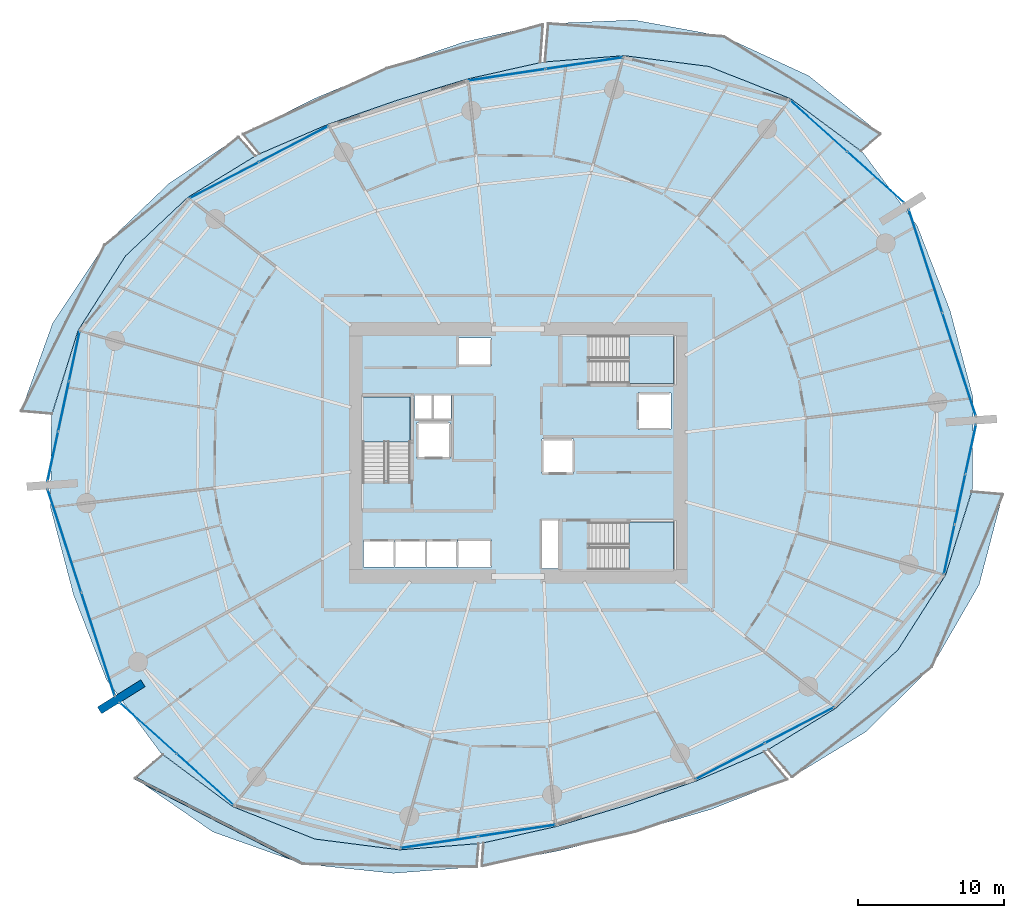
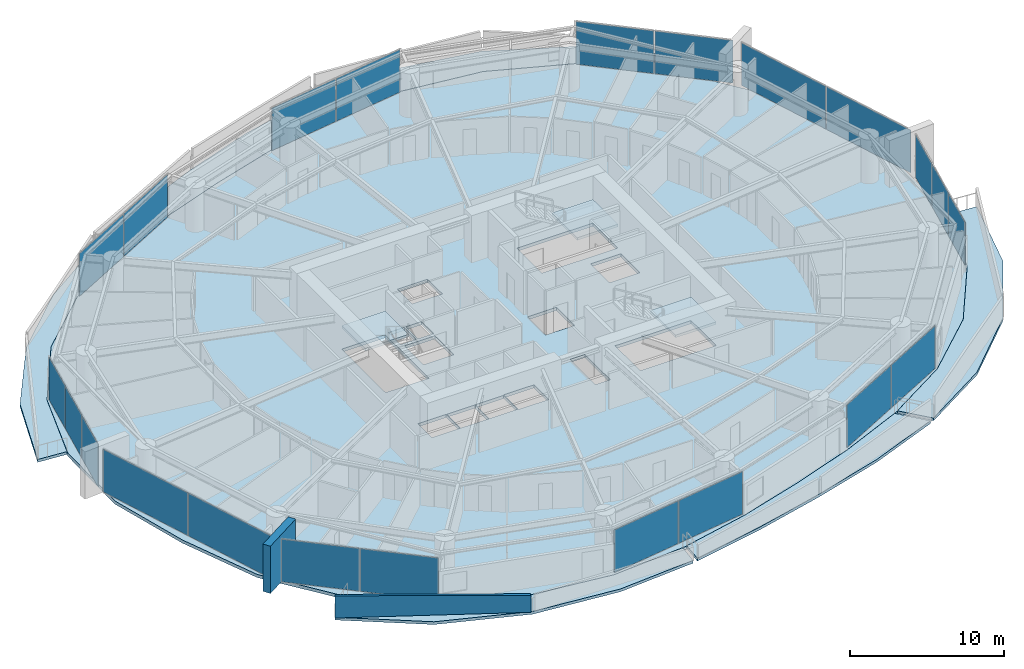
# One storey, part 18 of 31: 22 plates, 10 slabs, 2 walls, 13 elements without a shape of their own.
"""IFC4 building model written with IfcOpenShell, lengths in metres."""

from ifc_helpers import new_model, si_unit, direction, frame, frame_2d, origin, origin_2d, place, context, subcontext, project, spatial, polyline, rectangle, outline, extrude, material, layer, layer_set, type_object, element, aggregate, save


model = new_model("IFC4")

# Units and contexts
model_context = context("Model", 3, precision=1e-05, world=origin(), true_north=direction((0.0, 1.0)))
body_context = subcontext(model_context, "Body", "Model", "MODEL_VIEW")
ifc_project = project(units=[si_unit("LENGTHUNIT", "METRE"), si_unit("AREAUNIT", "SQUARE_METRE"), si_unit("VOLUMEUNIT", "CUBIC_METRE"), si_unit("PLANEANGLEUNIT", "RADIAN"), si_unit("MASSUNIT", "GRAM", prefix="KILO")], contexts=[model_context])

# Site, building, storey
site_placement = place(None, origin())
site = spatial("IfcSite", under=ifc_project, at=site_placement, CompositionType="ELEMENT")
building_placement = place(site_placement, origin())
building = spatial("IfcBuilding", under=site, at=building_placement, Name="Kazma Halo Residences", CompositionType="ELEMENT")
storey_placement = place(building_placement, frame((0.0, 0.0, 33.89990234375)))
storey = spatial("IfcBuildingStorey", under=building, at=storey_placement, Name="L07", CompositionType="ELEMENT", Elevation=33.89990234375)

# Curtain wall, plates
ifc_material_1 = material(Name="Aluminium AW-6063 T6 and Triple-Silver Low-E Glass", Category="aluminium")
ifc_layer_1 = layer(ifc_material_1, 0.159912109375)
ifc_layer_set_1 = layer_set([ifc_layer_1], Name="Aluminium AW-6063 T6 and Triple-Silver Low-E Glass")
curtain_wall_type = type_object("IfcCurtainWallType", Name="CW-SYS-2", PredefinedType="NOTDEFINED", material=ifc_layer_set_1)
curtain_wall_1_placement = place(storey_placement, origin())
curtain_wall_1 = element("IfcCurtainWall", 1, at=curtain_wall_1_placement, inside=storey, type_object=curtain_wall_type, Name="L07 unitised curtain wall B01", PredefinedType="NOTDEFINED")
ifc_material_2 = material(Name="Clear Triple-Silver Low-E Glass IGU", Category="glass")
ifc_layer_2 = layer(ifc_material_2, 0.028076171875)
ifc_layer_set_2 = layer_set([ifc_layer_2], Name="Clear Triple-Silver Low-E Glass IGU")
plate_type = type_object("IfcPlateType", Name="CW-SYS-2-PNL", PredefinedType="CURTAIN_PANEL", material=ifc_layer_set_2)
plate_1_placement = place(storey_placement, frame((72.876953125, 60.841064453125, 0.06005859375), z_axis=(0.0, 0.0, 1.0), x_axis=(-0.744321506993, 0.667821453854, 0.0)))
plate_1 = element("IfcPlate", 2, at=plate_1_placement, type_object=plate_type, Name="CWS-2 panel 1.1", PredefinedType="CURTAIN_PANEL", context=body_context, shape_type="SweptSolid", body=[
    extrude(rectangle(XDim=5.1787109375, YDim=0.028076171875, at=origin_2d()), origin(), (0.0, 0.0, 1.0), 3.3798828125),
])
plate_2_placement = place(storey_placement, frame((68.977783203125, 64.33935546875, 0.06005859375), z_axis=(0.0, 0.0, 1.0), x_axis=(-0.744321506993, 0.667821453854, 0.0)))
plate_2 = element("IfcPlate", 3, at=plate_2_placement, type_object=plate_type, Name="CWS-2 panel 2.1", PredefinedType="CURTAIN_PANEL", context=body_context, shape_type="SweptSolid", body=[
    extrude(rectangle(XDim=5.1787109375, YDim=0.028076171875, at=origin_2d()), origin(), (0.0, 0.0, 1.0), 3.3798828125),
])
aggregate(curtain_wall_1, [plate_1, plate_2])

curtain_wall_2_placement = place(storey_placement, origin())
curtain_wall_2 = element("IfcCurtainWall", 4, at=curtain_wall_2_placement, inside=storey, type_object=curtain_wall_type, Name="L07 unitised curtain wall B03", PredefinedType="NOTDEFINED")
plate_3_placement = place(storey_placement, frame((52.952392578125, 68.64013671875, 0.06005859375), z_axis=(0.0, 0.0, 1.0), x_axis=(-0.988888777994, -0.148657272805, 0.0)))
plate_3 = element("IfcPlate", 5, at=plate_3_placement, type_object=plate_type, Name="CWS-2 panel 1.1", PredefinedType="CURTAIN_PANEL", context=body_context, shape_type="SweptSolid", body=[
    extrude(rectangle(XDim=5.288818359375, YDim=0.028076171875, at=origin_2d()), origin(), (0.0, 0.0, 1.0), 3.3798828125),
])
plate_4_placement = place(storey_placement, frame((47.662841796875, 67.844970703125, 0.06005859375), z_axis=(0.0, 0.0, 1.0), x_axis=(-0.988888777994, -0.148657272805, 0.0)))
plate_4 = element("IfcPlate", 6, at=plate_4_placement, type_object=plate_type, Name="CWS-2 panel 2.1", PredefinedType="CURTAIN_PANEL", context=body_context, shape_type="SweptSolid", body=[
    extrude(rectangle(XDim=5.288818359375, YDim=0.028076171875, at=origin_2d()), origin(), (0.0, 0.0, 1.0), 3.3798828125),
])
aggregate(curtain_wall_2, [plate_3, plate_4])

curtain_wall_3_placement = place(storey_placement, origin())
curtain_wall_3 = element("IfcCurtainWall", 7, at=curtain_wall_3_placement, inside=storey, type_object=curtain_wall_type, Name="L07 unitised curtain wall B05", PredefinedType="NOTDEFINED")
plate_5_placement = place(storey_placement, frame((33.081298828125, 63.107177734375, 0.06005859375), z_axis=(0.0, 0.0, 1.0), x_axis=(-0.887402258584, -0.460995912628, 0.0)))
plate_5 = element("IfcPlate", 8, at=plate_5_placement, type_object=plate_type, Name="CWS-2 panel 1.1", PredefinedType="CURTAIN_PANEL", context=body_context, shape_type="SweptSolid", body=[
    extrude(rectangle(XDim=5.288818359375, YDim=0.028076171875, at=origin_2d()), origin(), (0.0, 0.0, 1.0), 3.3798828125),
])
plate_6_placement = place(storey_placement, frame((28.334716796875, 60.641357421875, 0.06005859375), z_axis=(0.0, 0.0, 1.0), x_axis=(-0.887402258584, -0.460995912628, 0.0)))
plate_6 = element("IfcPlate", 9, at=plate_6_placement, type_object=plate_type, Name="CWS-2 panel 2.1", PredefinedType="CURTAIN_PANEL", context=body_context, shape_type="SweptSolid", body=[
    extrude(rectangle(XDim=5.288818359375, YDim=0.028076171875, at=origin_2d()), origin(), (0.0, 0.0, 1.0), 3.3798828125),
])
aggregate(curtain_wall_3, [plate_5, plate_6])

curtain_wall_4_placement = place(storey_placement, origin())
curtain_wall_4 = element("IfcCurtainWall", 10, at=curtain_wall_4_placement, inside=storey, type_object=curtain_wall_type, Name="L07 unitised curtain wall B07", PredefinedType="NOTDEFINED")
plate_7_placement = place(storey_placement, frame((18.08203125, 48.60107421875, 0.06005859375), z_axis=(0.0, 0.0, 1.0), x_axis=(-0.209637321406, -0.977779215096, 0.0)))
plate_7 = element("IfcPlate", 11, at=plate_7_placement, type_object=plate_type, Name="CWS-2 panel 1.1", PredefinedType="CURTAIN_PANEL", context=body_context, shape_type="SweptSolid", body=[
    extrude(rectangle(XDim=3.42236328125, YDim=0.028076171875, at=origin_2d()), origin(), (0.0, 0.0, 1.0), 3.3798828125),
])
plate_8_placement = place(storey_placement, frame((17.348876953125, 45.181396484375, 0.06005859375), z_axis=(0.0, 0.0, 1.0), x_axis=(-0.209637321406, -0.977779215096, 0.0)))
plate_8 = element("IfcPlate", 12, at=plate_8_placement, type_object=plate_type, Name="CWS-2 panel 2.1", PredefinedType="CURTAIN_PANEL", context=body_context, shape_type="SweptSolid", body=[
    extrude(rectangle(XDim=3.452392578125, YDim=0.028076171875, at=origin_2d()), origin(), (0.0, 0.0, 1.0), 3.3798828125),
])
plate_9_placement = place(storey_placement, frame((16.61572265625, 41.76171875, 0.06005859375), z_axis=(0.0, 0.0, 1.0), x_axis=(-0.209637321406, -0.977779215096, 0.0)))
plate_9 = element("IfcPlate", 13, at=plate_9_placement, type_object=plate_type, Name="CWS-2 panel 3.1", PredefinedType="CURTAIN_PANEL", context=body_context, shape_type="SweptSolid", body=[
    extrude(rectangle(XDim=3.42236328125, YDim=0.028076171875, at=origin_2d()), origin(), (0.0, 0.0, 1.0), 3.3798828125),
])
aggregate(curtain_wall_4, [plate_7, plate_8, plate_9])

curtain_wall_5_placement = place(storey_placement, origin())
curtain_wall_5 = element("IfcCurtainWall", 14, at=curtain_wall_5_placement, inside=storey, type_object=curtain_wall_type, Name="L07 unitised curtain wall B08", PredefinedType="NOTDEFINED")
plate_10_placement = place(storey_placement, frame((17.409912109375, 35.96728515625, 0.06005859375), z_axis=(0.0, 0.0, 1.0), x_axis=(0.309016970539, -0.95105652404, 0.0)))
plate_10 = element("IfcPlate", 15, at=plate_10_placement, type_object=plate_type, Name="CWS-2 panel 1.1", PredefinedType="CURTAIN_PANEL", context=body_context, shape_type="SweptSolid", body=[
    extrude(rectangle(XDim=7.370849609375, YDim=0.028076171875, at=origin_2d()), origin(), (0.0, 0.0, 1.0), 3.3798828125),
])
plate_11_placement = place(storey_placement, frame((19.7060546875, 28.900146484375, 0.06005859375), z_axis=(0.0, 0.0, 1.0), x_axis=(0.309016970539, -0.95105652404, 0.0)))
plate_11 = element("IfcPlate", 16, at=plate_11_placement, type_object=plate_type, Name="CWS-2 panel 2.1", PredefinedType="CURTAIN_PANEL", context=body_context, shape_type="SweptSolid", body=[
    extrude(rectangle(XDim=7.370849609375, YDim=0.028076171875, at=origin_2d()), origin(), (0.0, 0.0, 1.0), 3.3798828125),
])
aggregate(curtain_wall_5, [plate_10, plate_11])

curtain_wall_6_placement = place(storey_placement, origin())
curtain_wall_6 = element("IfcCurtainWall", 17, at=curtain_wall_6_placement, inside=storey, type_object=curtain_wall_type, Name="L07 unitised curtain wall B09", PredefinedType="NOTDEFINED")
plate_12_placement = place(storey_placement, frame((23.123046875, 23.158935546875, 0.06005859375), z_axis=(0.0, 0.0, 1.0), x_axis=(0.744321506993, -0.667821453854, 0.0)))
plate_12 = element("IfcPlate", 18, at=plate_12_placement, type_object=plate_type, Name="CWS-2 panel 1.1", PredefinedType="CURTAIN_PANEL", context=body_context, shape_type="SweptSolid", body=[
    extrude(rectangle(XDim=5.1787109375, YDim=0.028076171875, at=origin_2d()), origin(), (0.0, 0.0, 1.0), 3.3798828125),
])
plate_13_placement = place(storey_placement, frame((27.022216796875, 19.66064453125, 0.06005859375), z_axis=(0.0, 0.0, 1.0), x_axis=(0.744321506993, -0.667821453854, 0.0)))
plate_13 = element("IfcPlate", 19, at=plate_13_placement, type_object=plate_type, Name="CWS-2 panel 2.1", PredefinedType="CURTAIN_PANEL", context=body_context, shape_type="SweptSolid", body=[
    extrude(rectangle(XDim=5.1787109375, YDim=0.028076171875, at=origin_2d()), origin(), (0.0, 0.0, 1.0), 3.3798828125),
])
aggregate(curtain_wall_6, [plate_12, plate_13])

curtain_wall_7_placement = place(storey_placement, origin())
curtain_wall_7 = element("IfcCurtainWall", 20, at=curtain_wall_7_placement, inside=storey, type_object=curtain_wall_type, Name="L07 unitised curtain wall B11", PredefinedType="NOTDEFINED")
plate_14_placement = place(storey_placement, frame((43.047607421875, 15.35986328125, 0.06005859375), z_axis=(0.0, 0.0, 1.0), x_axis=(0.988888777994, 0.148657272805, 0.0)))
plate_14 = element("IfcPlate", 21, at=plate_14_placement, type_object=plate_type, Name="CWS-2 panel 1.1", PredefinedType="CURTAIN_PANEL", context=body_context, shape_type="SweptSolid", body=[
    extrude(rectangle(XDim=5.288818359375, YDim=0.028076171875, at=origin_2d()), origin(), (0.0, 0.0, 1.0), 3.3798828125),
])
plate_15_placement = place(storey_placement, frame((48.337158203125, 16.155029296875, 0.06005859375), z_axis=(0.0, 0.0, 1.0), x_axis=(0.988888777994, 0.148657272805, 0.0)))
plate_15 = element("IfcPlate", 22, at=plate_15_placement, type_object=plate_type, Name="CWS-2 panel 2.1", PredefinedType="CURTAIN_PANEL", context=body_context, shape_type="SweptSolid", body=[
    extrude(rectangle(XDim=5.288818359375, YDim=0.028076171875, at=origin_2d()), origin(), (0.0, 0.0, 1.0), 3.3798828125),
])
aggregate(curtain_wall_7, [plate_14, plate_15])

curtain_wall_8_placement = place(storey_placement, origin())
curtain_wall_8 = element("IfcCurtainWall", 23, at=curtain_wall_8_placement, inside=storey, type_object=curtain_wall_type, Name="L07 unitised curtain wall B13", PredefinedType="NOTDEFINED")
plate_16_placement = place(storey_placement, frame((62.918701171875, 20.892822265625, 0.06005859375), z_axis=(0.0, 0.0, 1.0), x_axis=(0.887402258584, 0.460995912628, 0.0)))
plate_16 = element("IfcPlate", 24, at=plate_16_placement, type_object=plate_type, Name="CWS-2 panel 1.1", PredefinedType="CURTAIN_PANEL", context=body_context, shape_type="SweptSolid", body=[
    extrude(rectangle(XDim=5.288818359375, YDim=0.028076171875, at=origin_2d()), origin(), (0.0, 0.0, 1.0), 3.3798828125),
])
plate_17_placement = place(storey_placement, frame((67.665283203125, 23.358642578125, 0.06005859375), z_axis=(0.0, 0.0, 1.0), x_axis=(0.887402258584, 0.460995912628, 0.0)))
plate_17 = element("IfcPlate", 25, at=plate_17_placement, type_object=plate_type, Name="CWS-2 panel 2.1", PredefinedType="CURTAIN_PANEL", context=body_context, shape_type="SweptSolid", body=[
    extrude(rectangle(XDim=5.288818359375, YDim=0.028076171875, at=origin_2d()), origin(), (0.0, 0.0, 1.0), 3.3798828125),
])
aggregate(curtain_wall_8, [plate_16, plate_17])

curtain_wall_9_placement = place(storey_placement, origin())
curtain_wall_9 = element("IfcCurtainWall", 26, at=curtain_wall_9_placement, inside=storey, type_object=curtain_wall_type, Name="L07 unitised curtain wall B15", PredefinedType="NOTDEFINED")
plate_18_placement = place(storey_placement, frame((77.91796875, 35.39892578125, 0.06005859375), z_axis=(0.0, 0.0, 1.0), x_axis=(0.209637321406, 0.977779215096, 0.0)))
plate_18 = element("IfcPlate", 27, at=plate_18_placement, type_object=plate_type, Name="CWS-2 panel 1.1", PredefinedType="CURTAIN_PANEL", context=body_context, shape_type="SweptSolid", body=[
    extrude(rectangle(XDim=3.42236328125, YDim=0.028076171875, at=origin_2d()), origin(), (0.0, 0.0, 1.0), 3.3798828125),
])
plate_19_placement = place(storey_placement, frame((78.651123046875, 38.818603515625, 0.06005859375), z_axis=(0.0, 0.0, 1.0), x_axis=(0.209637321406, 0.977779215096, 0.0)))
plate_19 = element("IfcPlate", 28, at=plate_19_placement, type_object=plate_type, Name="CWS-2 panel 2.1", PredefinedType="CURTAIN_PANEL", context=body_context, shape_type="SweptSolid", body=[
    extrude(rectangle(XDim=3.452392578125, YDim=0.028076171875, at=origin_2d()), origin(), (0.0, 0.0, 1.0), 3.3798828125),
])
plate_20_placement = place(storey_placement, frame((79.38427734375, 42.23828125, 0.06005859375), z_axis=(0.0, 0.0, 1.0), x_axis=(0.209637321406, 0.977779215096, 0.0)))
plate_20 = element("IfcPlate", 29, at=plate_20_placement, type_object=plate_type, Name="CWS-2 panel 3.1", PredefinedType="CURTAIN_PANEL", context=body_context, shape_type="SweptSolid", body=[
    extrude(rectangle(XDim=3.42236328125, YDim=0.028076171875, at=origin_2d()), origin(), (0.0, 0.0, 1.0), 3.3798828125),
])
aggregate(curtain_wall_9, [plate_18, plate_19, plate_20])

curtain_wall_10_placement = place(storey_placement, origin())
curtain_wall_10 = element("IfcCurtainWall", 30, at=curtain_wall_10_placement, inside=storey, type_object=curtain_wall_type, Name="L07 unitised curtain wall B16", PredefinedType="NOTDEFINED")
plate_21_placement = place(storey_placement, frame((78.590087890625, 48.03271484375, 0.06005859375), z_axis=(0.0, 0.0, 1.0), x_axis=(-0.309016970539, 0.95105652404, 0.0)))
plate_21 = element("IfcPlate", 31, at=plate_21_placement, type_object=plate_type, Name="CWS-2 panel 1.1", PredefinedType="CURTAIN_PANEL", context=body_context, shape_type="SweptSolid", body=[
    extrude(rectangle(XDim=7.370849609375, YDim=0.028076171875, at=origin_2d()), origin(), (0.0, 0.0, 1.0), 3.3798828125),
])
plate_22_placement = place(storey_placement, frame((76.2939453125, 55.099853515625, 0.06005859375), z_axis=(0.0, 0.0, 1.0), x_axis=(-0.309016970539, 0.95105652404, 0.0)))
plate_22 = element("IfcPlate", 32, at=plate_22_placement, type_object=plate_type, Name="CWS-2 panel 2.1", PredefinedType="CURTAIN_PANEL", context=body_context, shape_type="SweptSolid", body=[
    extrude(rectangle(XDim=7.370849609375, YDim=0.028076171875, at=origin_2d()), origin(), (0.0, 0.0, 1.0), 3.3798828125),
])
aggregate(curtain_wall_10, [plate_21, plate_22])

# Slabs
ifc_material_3 = material(Name="White Concrete C50/60", Category="concrete")
ifc_layer_3 = layer(ifc_material_3, 0.219970703125)
ifc_layer_set_3 = layer_set([ifc_layer_3], Name="White Concrete C50/60")
slab_type_1 = type_object("IfcSlabType", Name="SLB-BAL-WAVE-210", PredefinedType="FLOOR", material=ifc_layer_set_3)
slab_1_placement = place(storey_placement, frame((0.0, 0.0, -0.219970703125)))
element("IfcSlab", 33, at=slab_1_placement, inside=storey, type_object=slab_type_1, Name="L07 NE cantilevered wave balcony slab", PredefinedType="FLOOR", context=body_context, shape_type="SweptSolid", body=[
    extrude(outline(polyline([(71.875732421875, 62.645263671875), (67.081298828125, 66.20458984375), (61.461669921875, 68.420166015625), (55.659912109375, 69.15966796875), (50.26806640625, 68.729736328125), (50.490478515625, 71.350830078125), (56.3466796875, 71.594970703125), (62.50439453125, 70.466796875), (68.3173828125, 67.7724609375), (73.20751953125, 63.797119140625), (71.875732421875, 62.645263671875)])), origin(), (0.0, 0.0, 1.0), 0.219970703125),
])
slab_2_placement = place(storey_placement, frame((0.0, 0.0, -0.219970703125)))
element("IfcSlab", 34, at=slab_2_placement, inside=storey, type_object=slab_type_1, Name="L07 NNW cantilevered wave balcony slab", PredefinedType="FLOOR", context=body_context, shape_type="SweptSolid", body=[
    extrude(outline(polyline([(49.935791015625, 68.679931640625), (44.974365234375, 67.564208984375), (40.165771484375, 66.111083984375), (35.421630859375, 64.460205078125), (30.751708984375, 62.44677734375), (29.626708984375, 63.7802734375), (34.446044921875, 66.202392578125), (39.4560546875, 68.2958984375), (44.677001953125, 70.076904296875), (50.125732421875, 71.298583984375), (49.935791015625, 68.679931640625)])), origin(), (0.0, 0.0, 1.0), 0.219970703125),
])
slab_3_placement = place(storey_placement, frame((0.0, 0.0, -0.219970703125)))
element("IfcSlab", 35, at=slab_3_placement, inside=storey, type_object=slab_type_1, Name="L07 NW cantilevered wave balcony slab", PredefinedType="FLOOR", context=body_context, shape_type="SweptSolid", body=[
    extrude(outline(polyline([(30.453857421875, 62.29150390625), (25.839111328125, 59.47021484375), (21.579833984375, 55.461669921875), (18.3359375, 50.3662109375), (16.54931640625, 44.668701171875), (14.444580078125, 44.84716796875), (16.5947265625, 50.857177734375), (20.138671875, 56.196044921875), (24.592041015625, 60.453369140625), (29.318115234375, 63.60498046875), (30.453857421875, 62.29150390625)])), origin(), (0.0, 0.0, 1.0), 0.219970703125),
])
slab_4_placement = place(storey_placement, frame((0.0, 0.0, -0.219970703125)))
element("IfcSlab", 36, at=slab_4_placement, inside=storey, type_object=slab_type_1, Name="L07 SW cantilevered wave balcony slab", PredefinedType="FLOOR", context=body_context, shape_type="SweptSolid", body=[
    extrude(outline(polyline([(24.124267578125, 21.354736328125), (28.918701171875, 17.79541015625), (34.538330078125, 15.579833984375), (40.340087890625, 14.84033203125), (45.73193359375, 15.270263671875), (45.597412109375, 13.685302734375), (39.88818359375, 13.2373046875), (33.676025390625, 13.8876953125), (27.556884765625, 16.068115234375), (22.246337890625, 19.730712890625), (24.124267578125, 21.354736328125)])), origin(), (0.0, 0.0, 1.0), 0.219970703125),
])
slab_5_placement = place(storey_placement, frame((0.0, 0.0, -0.219970703125)))
element("IfcSlab", 37, at=slab_5_placement, inside=storey, type_object=slab_type_1, Name="L07 SSE cantilevered wave balcony slab", PredefinedType="FLOOR", context=body_context, shape_type="SweptSolid", body=[
    extrude(outline(polyline([(46.064208984375, 15.320068359375), (51.025634765625, 16.435791015625), (55.834228515625, 17.888916015625), (60.578369140625, 19.539794921875), (65.248291015625, 21.55322265625), (66.838623046875, 19.668212890625), (61.653076171875, 17.62060546875), (56.4208984375, 16.082763671875), (51.221435546875, 14.78173828125), (45.949462890625, 13.738525390625), (46.064208984375, 15.320068359375)])), origin(), (0.0, 0.0, 1.0), 0.219970703125),
])
slab_6_placement = place(storey_placement, frame((0.0, 0.0, -0.219970703125)))
element("IfcSlab", 38, at=slab_6_placement, inside=storey, type_object=slab_type_1, Name="L07 SE cantilevered wave balcony slab", PredefinedType="FLOOR", context=body_context, shape_type="SweptSolid", body=[
    extrude(outline(polyline([(65.546142578125, 21.70849609375), (70.160888671875, 24.52978515625), (74.420166015625, 28.538330078125), (77.6640625, 33.6337890625), (79.45068359375, 39.331298828125), (81.574462890625, 39.151123046875), (79.96142578125, 32.98583984375), (76.717529296875, 27.36767578125), (72.208984375, 22.9150390625), (67.171630859375, 19.82861328125), (65.546142578125, 21.70849609375)])), origin(), (0.0, 0.0, 1.0), 0.219970703125),
])
ifc_material_4 = material(Name="Concrete C50/60", Category="concrete")
ifc_layer_4 = layer(ifc_material_4, 0.25)
ifc_layer_set_4 = layer_set([ifc_layer_4], Name="Concrete C50/60")
slab_type_2 = type_object("IfcSlabType", Name="SLB-RES-250", PredefinedType="FLOOR", material=ifc_layer_set_4)
slab_7_placement = place(storey_placement, frame((0.0, 0.0, -0.25)))
element("IfcSlab", 39, at=slab_7_placement, inside=storey, type_object=slab_type_2, Name="L07 structural floor slab", PredefinedType="FLOOR", context=body_context, shape_type="SweptSolid", body=[
    extrude(outline(polyline([(77.9677734375, 51.737060546875), (75.719970703125, 57.52392578125), (72.02099609375, 62.51611328125), (67.080078125, 66.202880859375), (61.460693359375, 68.418212890625), (55.6591796875, 69.15771484375), (50.102294921875, 68.713134765625), (44.974609375, 67.562255859375), (40.16650390625, 66.109375), (35.422607421875, 64.45849609375), (30.597412109375, 62.375732421875), (25.8408203125, 59.468994140625), (21.581787109375, 55.460693359375), (18.337890625, 50.365478515625), (16.507568359375, 44.478515625), (16.449462890625, 38.265625), (18.0322265625, 32.262939453125), (20.280029296875, 26.47607421875), (23.97900390625, 21.48388671875), (28.919921875, 17.797119140625), (34.539306640625, 15.581787109375), (40.3408203125, 14.84228515625), (45.897705078125, 15.286865234375), (51.025390625, 16.437744140625), (55.83349609375, 17.890625), (60.577392578125, 19.54150390625), (65.402587890625, 21.624267578125), (70.1591796875, 24.531005859375), (74.418212890625, 28.539306640625), (77.662109375, 33.634521484375), (79.492431640625, 39.521484375), (79.550537109375, 45.734375), (77.9677734375, 51.737060546875)]), holes=[polyline([(37.800048828125, 40.110107421875), (41.050048828125, 40.110107421875), (41.050048828125, 45.800048828125), (37.800048828125, 45.800048828125), (37.800048828125, 40.110107421875)]), polyline([(53.360107421875, 46.75), (59.050048828125, 46.75), (59.050048828125, 50.0), (53.360107421875, 50.0), (53.360107421875, 46.75)]), polyline([(53.360107421875, 34.0), (59.050048828125, 34.0), (59.050048828125, 37.25), (53.360107421875, 37.25), (53.360107421875, 34.0)]), polyline([(41.52001953125, 41.6201171875), (43.780029296875, 41.6201171875), (43.780029296875, 44.080078125), (41.52001953125, 44.080078125), (41.52001953125, 41.6201171875)]), polyline([(56.6201171875, 43.6201171875), (58.8798828125, 43.6201171875), (58.8798828125, 46.080078125), (56.6201171875, 46.080078125), (56.6201171875, 43.6201171875)]), polyline([(37.864990234375, 34.195068359375), (39.97509765625, 34.195068359375), (39.97509765625, 36.0048828125), (37.864990234375, 36.0048828125), (37.864990234375, 34.195068359375)]), polyline([(40.014892578125, 34.195068359375), (42.125, 34.195068359375), (42.125, 36.0048828125), (40.014892578125, 36.0048828125), (40.014892578125, 34.195068359375)]), polyline([(42.1650390625, 34.195068359375), (44.27490234375, 34.195068359375), (44.27490234375, 36.0048828125), (42.1650390625, 36.0048828125), (42.1650390625, 34.195068359375)]), polyline([(44.320068359375, 47.945068359375), (46.580078125, 47.945068359375), (46.580078125, 49.85498046875), (44.320068359375, 49.85498046875), (44.320068359375, 47.945068359375)]), polyline([(44.320068359375, 34.14501953125), (46.580078125, 34.14501953125), (46.580078125, 36.054931640625), (44.320068359375, 36.054931640625), (44.320068359375, 34.14501953125)]), polyline([(50.070068359375, 40.570068359375), (52.22998046875, 40.570068359375), (52.22998046875, 42.929931640625), (50.070068359375, 42.929931640625), (50.070068359375, 40.570068359375)]), polyline([(41.360107421875, 44.340087890625), (42.5400390625, 44.340087890625), (42.5400390625, 45.89990234375), (41.360107421875, 45.89990234375), (41.360107421875, 44.340087890625)]), polyline([(42.659912109375, 44.340087890625), (43.840087890625, 44.340087890625), (43.840087890625, 45.89990234375), (42.659912109375, 45.89990234375), (42.659912109375, 44.340087890625)]), polyline([(50.06005859375, 34.080078125), (51.159912109375, 34.080078125), (51.159912109375, 37.3798828125), (50.06005859375, 37.3798828125), (50.06005859375, 34.080078125)])]), origin(), (0.0, 0.0, 1.0), 0.25),
])

# Stair, slab
stair_type = type_object("IfcStairType", Name="STR-RES1", PredefinedType="HALF_TURN_STAIR", material=ifc_material_4)
stair_1_placement = place(storey_placement, origin())
stair_1 = element("IfcStair", 40, at=stair_1_placement, inside=storey, type_object=stair_type, Name="L07 Core exit stair ST-01", PredefinedType="HALF_TURN_STAIR")
ifc_layer_5 = layer(ifc_material_4, 0.199951171875)
ifc_layer_set_5 = layer_set([ifc_layer_5], Name="Concrete C50/60")
slab_type_3 = type_object("IfcSlabType", Name="SLB-STAIR-LND-200", PredefinedType="LANDING", material=ifc_layer_set_5)
slab_8_placement = place(storey_placement, frame((0.0, 0.0, 1.675048828125)))
slab_8 = element("IfcSlab", 41, at=slab_8_placement, type_object=slab_type_3, Name="ST-01 landing 1", PredefinedType="LANDING", context=body_context, shape_type="SweptSolid", body=[
    extrude(outline(polyline([(41.050048828125, 42.75), (41.050048828125, 45.800048828125), (37.800048828125, 45.800048828125), (37.800048828125, 42.75), (41.050048828125, 42.75)])), origin(), (0.0, 0.0, 1.0), 0.199951171875),
])
aggregate(stair_1, [slab_8])

stair_2_placement = place(storey_placement, origin())
stair_2 = element("IfcStair", 42, at=stair_2_placement, inside=storey, type_object=stair_type, Name="L07 Core exit stair ST-02", PredefinedType="HALF_TURN_STAIR")
slab_9_placement = place(storey_placement, frame((0.0, 0.0, 1.675048828125)))
slab_9 = element("IfcSlab", 43, at=slab_9_placement, type_object=slab_type_3, Name="ST-02 landing 1", PredefinedType="LANDING", context=body_context, shape_type="SweptSolid", body=[
    extrude(outline(polyline([(56.0, 46.75), (59.050048828125, 46.75), (59.050048828125, 50.0), (56.0, 50.0), (56.0, 46.75)])), origin(), (0.0, 0.0, 1.0), 0.199951171875),
])
aggregate(stair_2, [slab_9])

stair_3_placement = place(storey_placement, origin())
stair_3 = element("IfcStair", 44, at=stair_3_placement, inside=storey, type_object=stair_type, Name="L07 Core exit stair ST-03", PredefinedType="HALF_TURN_STAIR")
slab_10_placement = place(storey_placement, frame((0.0, 0.0, 1.675048828125)))
slab_10 = element("IfcSlab", 45, at=slab_10_placement, type_object=slab_type_3, Name="ST-03 landing 1", PredefinedType="LANDING", context=body_context, shape_type="SweptSolid", body=[
    extrude(outline(polyline([(56.0, 34.0), (59.050048828125, 34.0), (59.050048828125, 37.25), (56.0, 37.25), (56.0, 34.0)])), origin(), (0.0, 0.0, 1.0), 0.199951171875),
])
aggregate(stair_3, [slab_10])

# Walls
ifc_material_5 = material(Name="White Concrete C50/60 Balustrade", Category="concrete")
ifc_layer_6 = layer(ifc_material_5, 0.179931640625)
ifc_layer_set_6 = layer_set([ifc_layer_6], Name="White Concrete C50/60 Balustrade")
wall_type_1 = type_object("IfcWallType", Name="WL-BAL-WAVE-180", PredefinedType="PARAPET", material=ifc_layer_set_6)
wall_1_placement = place(storey_placement, frame((22.246337890625, 19.730712890625, 0.0), z_axis=(0.0, 0.0, 1.0), x_axis=(0.890402176463, -0.455174652359, 0.0)))
element("IfcWall", 46, at=wall_1_placement, inside=storey, type_object=wall_type_1, Name="L07 white wave balustrade wall SW.1", PredefinedType="PARAPET", context=body_context, shape_type="SweptSolid", body=[
    extrude(outline(polyline([(0.0, 0.0), (12.716796875, 0.0), (12.716796875, 1.34814453125), (6.3583984375, 1.56201171875), (0.0, 1.7470703125), (0.0, 0.0)])), frame((0.0, 0.08984375, 0.0), z_axis=(0.0, -1.0, 0.0), x_axis=(1.0, 0.0, 0.0)), (0.0, 0.0, 1.0), 0.179931640625),
])
ifc_material_6 = material(Name="Pale Concrete C60/75", Category="concrete")
ifc_layer_7 = layer(ifc_material_6, 0.550048828125)
ifc_layer_set_7 = layer_set([ifc_layer_7], Name="Pale Concrete C60/75")
wall_type_2 = type_object("IfcWallType", Name="WL-BLADE-550", PredefinedType="SOLIDWALL", material=ifc_layer_set_7)
wall_2_placement = place(storey_placement, frame((22.770263671875, 26.234619140625, 0.0), z_axis=(0.0, 0.0, 1.0), x_axis=(-0.848053161125, -0.529911158502, 0.0)))
element("IfcWall", 47, at=wall_2_placement, inside=storey, type_object=wall_type_2, Name="L07 pale concrete structural blade fin wall BW-03", PredefinedType="SOLIDWALL", context=body_context, shape_type="SweptSolid", body=[
    extrude(rectangle(XDim=3.5, YDim=0.550048828125, at=frame_2d((1.75, 0.0))), origin(), (0.0, 0.0, 1.0), 3.75),
])

save(model, "model.ifc")
